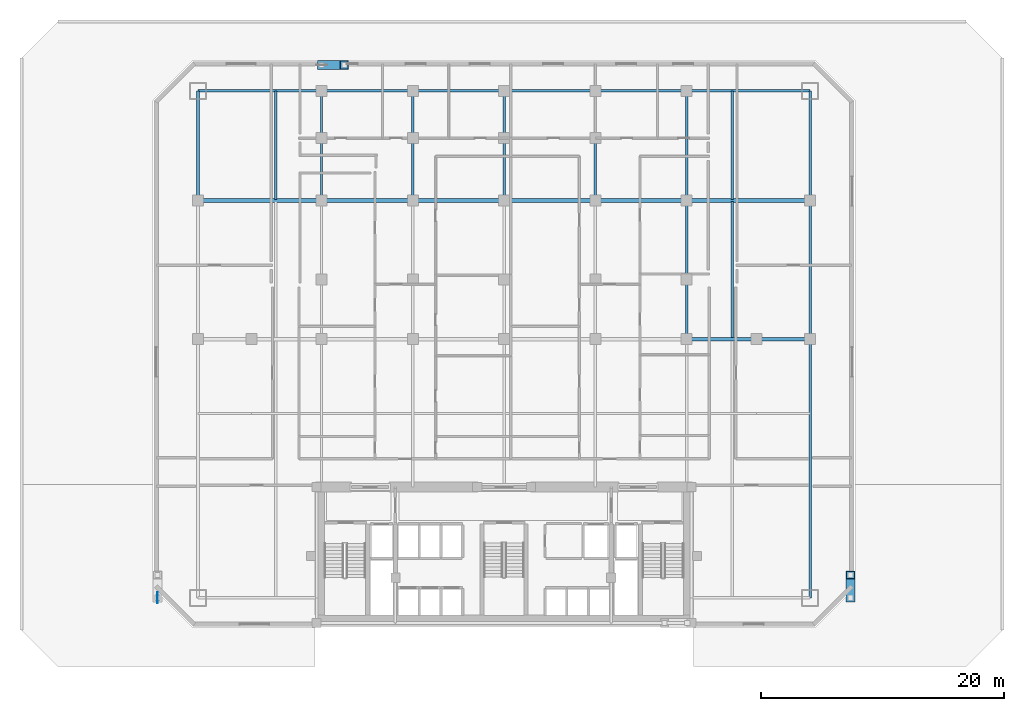
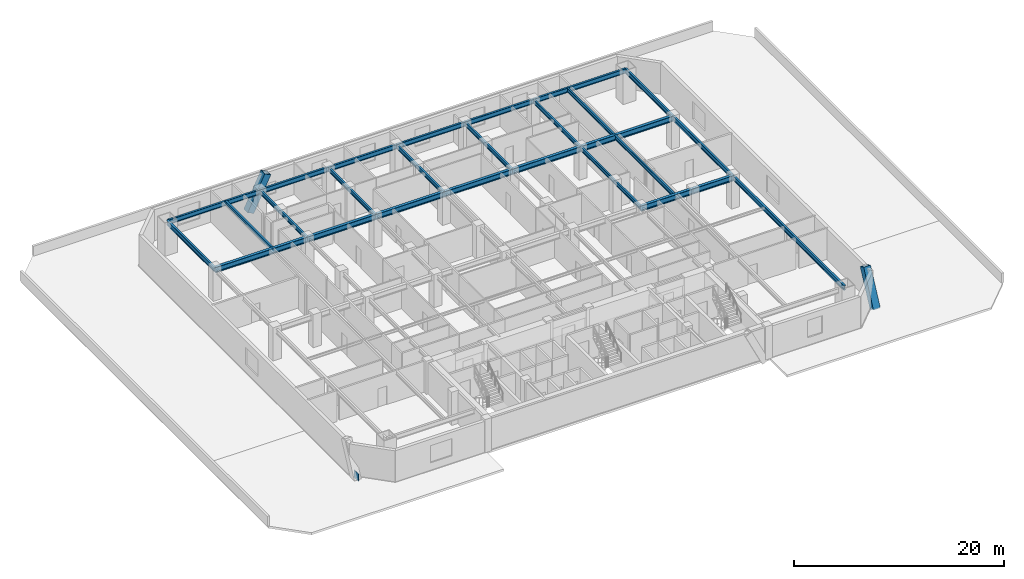
# One storey, part 2 of 11: 27 beams, 2 members, 1 plate.
"""IFC4 building model written with IfcOpenShell, lengths in metres."""

from ifc_helpers import new_model, si_unit, direction, frame, origin, origin_2d, place, context, subcontext, project, spatial, rectangle, hollow_rectangle, i_section, extrude, material, layer, layer_set, material_profile, profile_set, type_object, element, save


model = new_model("IFC4")

# Units and contexts
model_context = context("Model", 3, precision=1e-05, world=origin(), true_north=direction((0.0, 1.0)))
body_context = subcontext(model_context, "Body", "Model", "MODEL_VIEW")
ifc_project = project(units=[si_unit("LENGTHUNIT", "METRE"), si_unit("AREAUNIT", "SQUARE_METRE"), si_unit("VOLUMEUNIT", "CUBIC_METRE"), si_unit("PLANEANGLEUNIT", "RADIAN"), si_unit("MASSUNIT", "GRAM", prefix="KILO")], contexts=[model_context])

# Site, building, storey
site_placement = place(None, origin())
site = spatial("IfcSite", under=ifc_project, at=site_placement, CompositionType="ELEMENT")
building_placement = place(site_placement, origin())
building = spatial("IfcBuilding", under=site, at=building_placement, Name="Ventersveld Concourse Tower", CompositionType="ELEMENT")
storey_placement = place(building_placement, frame((0.0, 0.0, 29.800048828125)))
storey = spatial("IfcBuildingStorey", under=building, at=storey_placement, Name="L06", CompositionType="ELEMENT", Elevation=29.800048828125)

# Beams
ifc_material_1 = material(Name="Structural steel S355J2", Category="steel")
ifc_material_profile_1 = material_profile(ifc_material_1, i_section(OverallWidth=0.19140625, OverallDepth=0.4599609375, WebThickness=0.010009765625, FlangeThickness=0.01611328125, FilletRadius=0.01025390625, at=origin_2d()), Name="UB 457x191x82")
ifc_profile_set_1 = profile_set([ifc_material_profile_1], Name="Structural steel S355J2")
beam_type_1 = type_object("IfcBeamType", Name="BM-UB457H", PredefinedType="BEAM", material=ifc_profile_set_1)
beam_1_placement = place(storey_placement, frame((10.0, 35.094970703125, 3.369873046875), z_axis=(0.0, 1.0, 0.0), x_axis=(-1.0, 0.0, 0.0)))
element("IfcBeam", 1, at=beam_1_placement, inside=storey, type_object=beam_type_1, Name="L06 N-S Composite Floor Beam North X=10.00", PredefinedType="BEAM", context=body_context, shape_type="SweptSolid", body=[
    extrude(i_section(OverallWidth=0.19140625, OverallDepth=0.4599609375, WebThickness=0.010009765625, FlangeThickness=0.01611328125, FilletRadius=0.01025390625, at=origin_2d()), origin(), (0.0, 0.0, 1.0), 8.905029296875),
])
for number, where, z_axis, x_axis, name in (
    (2, (13.75, 35.0, 3.369873046875), (0.0, 1.0, 0.0), (-1.0, 0.0, 0.0), "L06 N-S Composite Floor Beam North X=13.75"),
    (3, (21.25, 35.0, 3.369873046875), (0.0, 1.0, 0.0), (-1.0, 0.0, 0.0), "L06 N-S Composite Floor Beam North X=21.25"),
    (4, (28.75, 35.0, 3.369873046875), (0.0, 1.0, 0.0), (-1.0, 0.0, 0.0), "L06 N-S Composite Floor Beam North X=28.75"),
    (5, (36.25, 35.0, 3.369873046875), (0.0, 1.0, 0.0), (-1.0, 0.0, 0.0), "L06 N-S Composite Floor Beam North X=36.25"),
):
    element("IfcBeam", number, at=place(storey_placement, frame(where, z_axis=z_axis, x_axis=x_axis)), inside=storey, type_object=beam_type_1, Name=name, PredefinedType="BEAM", context=body_context, shape_type="SweptSolid", body=[
        extrude(i_section(OverallWidth=0.19140625, OverallDepth=0.4599609375, WebThickness=0.010009765625, FlangeThickness=0.01611328125, FilletRadius=0.01025390625, at=origin_2d()), origin(), (0.0, 0.0, 1.0), 9.0),
    ])
beam_2_placement = place(storey_placement, frame((43.75, 23.60009765625, 3.369873046875), z_axis=(0.0, 1.0, 0.0), x_axis=(-1.0, 0.0, 0.0)))
element("IfcBeam", 6, at=beam_2_placement, inside=storey, type_object=beam_type_1, Name="L06 N-S Composite Floor Beam Mid X=43.75", PredefinedType="BEAM", context=body_context, shape_type="SweptSolid", body=[
    extrude(i_section(OverallWidth=0.19140625, OverallDepth=0.4599609375, WebThickness=0.010009765625, FlangeThickness=0.01611328125, FilletRadius=0.01025390625, at=origin_2d()), origin(), (0.0, 0.0, 1.0), 11.39990234375),
])
beam_3_placement = place(storey_placement, frame((43.75, 35.0, 3.369873046875), z_axis=(0.0, 1.0, 0.0), x_axis=(-1.0, 0.0, 0.0)))
element("IfcBeam", 7, at=beam_3_placement, inside=storey, type_object=beam_type_1, Name="L06 N-S Composite Floor Beam North X=43.75", PredefinedType="BEAM", context=body_context, shape_type="SweptSolid", body=[
    extrude(i_section(OverallWidth=0.19140625, OverallDepth=0.4599609375, WebThickness=0.010009765625, FlangeThickness=0.01611328125, FilletRadius=0.01025390625, at=origin_2d()), origin(), (0.0, 0.0, 1.0), 9.0),
])
beam_4_placement = place(storey_placement, frame((47.5, 23.695068359375, 3.369873046875), z_axis=(0.0, 1.0, 0.0), x_axis=(-1.0, 0.0, 0.0)))
element("IfcBeam", 8, at=beam_4_placement, inside=storey, type_object=beam_type_1, Name="L06 N-S Composite Floor Beam Mid X=47.50", PredefinedType="BEAM", context=body_context, shape_type="SweptSolid", body=[
    extrude(i_section(OverallWidth=0.19140625, OverallDepth=0.4599609375, WebThickness=0.010009765625, FlangeThickness=0.01611328125, FilletRadius=0.01025390625, at=origin_2d()), origin(), (0.0, 0.0, 1.0), 11.2099609375),
])
beam_5_placement = place(storey_placement, frame((47.5, 35.094970703125, 3.369873046875), z_axis=(0.0, 1.0, 0.0), x_axis=(-1.0, 0.0, 0.0)))
element("IfcBeam", 9, at=beam_5_placement, inside=storey, type_object=beam_type_1, Name="L06 N-S Composite Floor Beam North X=47.50", PredefinedType="BEAM", context=body_context, shape_type="SweptSolid", body=[
    extrude(i_section(OverallWidth=0.19140625, OverallDepth=0.4599609375, WebThickness=0.010009765625, FlangeThickness=0.01611328125, FilletRadius=0.01025390625, at=origin_2d()), origin(), (0.0, 0.0, 1.0), 8.905029296875),
])
ifc_material_profile_2 = material_profile(ifc_material_1, i_section(OverallWidth=0.311279296875, OverallDepth=0.6357421875, WebThickness=0.018310546875, FlangeThickness=0.031494140625, FilletRadius=0.0166015625, at=origin_2d()), Name="UB 610x305x238")
ifc_profile_set_2 = profile_set([ifc_material_profile_2], Name="Structural steel S355J2")
beam_type_2 = type_object("IfcBeamType", Name="GRD-UB610H", PredefinedType="USERDEFINED", material=ifc_profile_set_2)
beam_6_placement = place(storey_placement, frame((43.75, 23.60009765625, 3.281982421875), z_axis=(1.0, 0.0, 0.0), x_axis=(0.0, 1.0, 0.0)))
element("IfcBeam", 10, at=beam_6_placement, inside=storey, type_object=beam_type_2, Name="L06 Primary E-W Grid Girder Y=23.60 #7", ObjectType="GIRDER", PredefinedType="USERDEFINED", context=body_context, shape_type="SweptSolid", body=[
    extrude(i_section(OverallWidth=0.311279296875, OverallDepth=0.6357421875, WebThickness=0.018310546875, FlangeThickness=0.031494140625, FilletRadius=0.0166015625, at=origin_2d()), origin(), (0.0, 0.0, 1.0), 5.75),
])
beam_7_placement = place(storey_placement, frame((49.5, 23.60009765625, 3.281982421875), z_axis=(1.0, 0.0, 0.0), x_axis=(0.0, 1.0, 0.0)))
element("IfcBeam", 11, at=beam_7_placement, inside=storey, type_object=beam_type_2, Name="L06 Primary E-W Grid Girder Y=23.60 #8", ObjectType="GIRDER", PredefinedType="USERDEFINED", context=body_context, shape_type="SweptSolid", body=[
    extrude(i_section(OverallWidth=0.311279296875, OverallDepth=0.6357421875, WebThickness=0.018310546875, FlangeThickness=0.031494140625, FilletRadius=0.0166015625, at=origin_2d()), origin(), (0.0, 0.0, 1.0), 4.39990234375),
])
beam_8_placement = place(storey_placement, frame((3.60009765625, 35.0, 3.281982421875), z_axis=(1.0, 0.0, 0.0), x_axis=(0.0, 1.0, 0.0)))
element("IfcBeam", 12, at=beam_8_placement, inside=storey, type_object=beam_type_2, Name="L06 E-W Grid Girder Y=35.00 #1", ObjectType="GIRDER", PredefinedType="USERDEFINED", context=body_context, shape_type="SweptSolid", body=[
    extrude(i_section(OverallWidth=0.311279296875, OverallDepth=0.6357421875, WebThickness=0.018310546875, FlangeThickness=0.031494140625, FilletRadius=0.0166015625, at=origin_2d()), origin(), (0.0, 0.0, 1.0), 10.14990234375),
])
for number, where, z_axis, x_axis, name in (
    (13, (13.75, 35.0, 3.281982421875), (1.0, 0.0, 0.0), (0.0, 1.0, 0.0), "L06 E-W Grid Girder Y=35.00 #2"),
    (14, (21.25, 35.0, 3.281982421875), (1.0, 0.0, 0.0), (0.0, 1.0, 0.0), "L06 E-W Grid Girder Y=35.00 #3"),
    (15, (28.75, 35.0, 3.281982421875), (1.0, 0.0, 0.0), (0.0, 1.0, 0.0), "L06 E-W Grid Girder Y=35.00 #4"),
    (16, (36.25, 35.0, 3.281982421875), (1.0, 0.0, 0.0), (0.0, 1.0, 0.0), "L06 E-W Grid Girder Y=35.00 #5"),
):
    element("IfcBeam", number, at=place(storey_placement, frame(where, z_axis=z_axis, x_axis=x_axis)), inside=storey, type_object=beam_type_2, Name=name, ObjectType="GIRDER", PredefinedType="USERDEFINED", context=body_context, shape_type="SweptSolid", body=[
        extrude(i_section(OverallWidth=0.311279296875, OverallDepth=0.6357421875, WebThickness=0.018310546875, FlangeThickness=0.031494140625, FilletRadius=0.0166015625, at=origin_2d()), origin(), (0.0, 0.0, 1.0), 7.5),
    ])
beam_9_placement = place(storey_placement, frame((43.75, 35.0, 3.281982421875), z_axis=(1.0, 0.0, 0.0), x_axis=(0.0, 1.0, 0.0)))
element("IfcBeam", 17, at=beam_9_placement, inside=storey, type_object=beam_type_2, Name="L06 E-W Grid Girder Y=35.00 #6", ObjectType="GIRDER", PredefinedType="USERDEFINED", context=body_context, shape_type="SweptSolid", body=[
    extrude(i_section(OverallWidth=0.311279296875, OverallDepth=0.6357421875, WebThickness=0.018310546875, FlangeThickness=0.031494140625, FilletRadius=0.0166015625, at=origin_2d()), origin(), (0.0, 0.0, 1.0), 10.14990234375),
])

# Members
ifc_material_2 = material(Name="Structural steel S355ML", Category="steel")
ifc_material_profile_3 = material_profile(ifc_material_2, hollow_rectangle(XDim=0.75, YDim=0.75, WallThickness=0.044921875, at=origin_2d()), Name="BOX 750x750x45")
ifc_profile_set_3 = profile_set([ifc_material_profile_3], Name="Structural steel S355ML")
member_type = type_object("IfcMemberType", Name="MB-750x750", PredefinedType="BRACE", material=ifc_profile_set_3)
for number, where, z_axis, x_axis, name in (
    (18, (13.75, 46.1201171875, -0.25), (0.437861906815, 0.0, 0.899042240699), (0.0, 1.0, 0.0), "L06 Exterior Mega-Brace N (Module M01)"),
    (19, (57.219970703125, 2.35009765625, -0.25), (0.0, 0.437861906815, 0.899042240699), (-1.0, 0.0, 0.0), "L06 Exterior Mega-Brace E (Module M01)"),
):
    element("IfcMember", number, at=place(storey_placement, frame(where, z_axis=z_axis, x_axis=x_axis)), inside=storey, type_object=member_type, Name=name, PredefinedType="BRACE", context=body_context, shape_type="SweptSolid", body=[
        extrude(hollow_rectangle(XDim=0.75, YDim=0.75, WallThickness=0.044921875, at=origin_2d()), origin(), (0.0, 0.0, 1.0), 4.2822265625),
    ])

# Beams
ifc_material_profile_4 = material_profile(ifc_material_1, i_section(OverallWidth=0.2119140625, OverallDepth=0.54443359375, WebThickness=0.0126953125, FlangeThickness=0.021240234375, FilletRadius=0.0126953125, at=origin_2d()), Name="UB 533x210x122")
ifc_profile_set_4 = profile_set([ifc_material_profile_4], Name="Structural steel S355J2")
beam_type_3 = type_object("IfcBeamType", Name="SPD-UB533", PredefinedType="SPANDREL", material=ifc_profile_set_4)
beam_10_placement = place(storey_placement, frame((3.60009765625, 35.0, 3.32763671875), z_axis=(0.0, 1.0, 0.0), x_axis=(-1.0, 0.0, 0.0)))
element("IfcBeam", 20, at=beam_10_placement, inside=storey, type_object=beam_type_3, Name="L06 West Spandrel Beam N", PredefinedType="SPANDREL", context=body_context, shape_type="SweptSolid", body=[
    extrude(i_section(OverallWidth=0.2119140625, OverallDepth=0.54443359375, WebThickness=0.0126953125, FlangeThickness=0.021240234375, FilletRadius=0.0126953125, at=origin_2d()), origin(), (0.0, 0.0, 1.0), 9.0),
])
beam_11_placement = place(storey_placement, frame((53.89990234375, 2.35009765625, 3.32763671875), z_axis=(0.0, 1.0, 0.0), x_axis=(-1.0, 0.0, 0.0)))
element("IfcBeam", 21, at=beam_11_placement, inside=storey, type_object=beam_type_3, Name="L06 East Spandrel Beam S", PredefinedType="SPANDREL", context=body_context, shape_type="SweptSolid", body=[
    extrude(i_section(OverallWidth=0.2119140625, OverallDepth=0.54443359375, WebThickness=0.0126953125, FlangeThickness=0.021240234375, FilletRadius=0.0126953125, at=origin_2d()), origin(), (0.0, 0.0, 1.0), 21.25),
])
beam_12_placement = place(storey_placement, frame((53.89990234375, 23.60009765625, 3.32763671875), z_axis=(0.0, 1.0, 0.0), x_axis=(-1.0, 0.0, 0.0)))
element("IfcBeam", 22, at=beam_12_placement, inside=storey, type_object=beam_type_3, Name="L06 East Spandrel Beam M", PredefinedType="SPANDREL", context=body_context, shape_type="SweptSolid", body=[
    extrude(i_section(OverallWidth=0.2119140625, OverallDepth=0.54443359375, WebThickness=0.0126953125, FlangeThickness=0.021240234375, FilletRadius=0.0126953125, at=origin_2d()), origin(), (0.0, 0.0, 1.0), 11.39990234375),
])
beam_13_placement = place(storey_placement, frame((53.89990234375, 35.0, 3.32763671875), z_axis=(0.0, 1.0, 0.0), x_axis=(-1.0, 0.0, 0.0)))
element("IfcBeam", 23, at=beam_13_placement, inside=storey, type_object=beam_type_3, Name="L06 East Spandrel Beam N", PredefinedType="SPANDREL", context=body_context, shape_type="SweptSolid", body=[
    extrude(i_section(OverallWidth=0.2119140625, OverallDepth=0.54443359375, WebThickness=0.0126953125, FlangeThickness=0.021240234375, FilletRadius=0.0126953125, at=origin_2d()), origin(), (0.0, 0.0, 1.0), 9.0),
])
beam_14_placement = place(storey_placement, frame((3.60009765625, 44.0, 3.32763671875), z_axis=(1.0, 0.0, 0.0), x_axis=(0.0, 1.0, 0.0)))
element("IfcBeam", 24, at=beam_14_placement, inside=storey, type_object=beam_type_3, Name="L06 North Spandrel Girder Y=44.00 #1", PredefinedType="SPANDREL", context=body_context, shape_type="SweptSolid", body=[
    extrude(i_section(OverallWidth=0.2119140625, OverallDepth=0.54443359375, WebThickness=0.0126953125, FlangeThickness=0.021240234375, FilletRadius=0.0126953125, at=origin_2d()), origin(), (0.0, 0.0, 1.0), 10.14990234375),
])
for number, where, z_axis, x_axis, name in (
    (25, (13.75, 44.0, 3.32763671875), (1.0, 0.0, 0.0), (0.0, 1.0, 0.0), "L06 North Spandrel Girder Y=44.00 #2"),
    (26, (21.25, 44.0, 3.32763671875), (1.0, 0.0, 0.0), (0.0, 1.0, 0.0), "L06 North Spandrel Girder Y=44.00 #3"),
    (27, (28.75, 44.0, 3.32763671875), (1.0, 0.0, 0.0), (0.0, 1.0, 0.0), "L06 North Spandrel Girder Y=44.00 #4"),
    (28, (36.25, 44.0, 3.32763671875), (1.0, 0.0, 0.0), (0.0, 1.0, 0.0), "L06 North Spandrel Girder Y=44.00 #5"),
):
    element("IfcBeam", number, at=place(storey_placement, frame(where, z_axis=z_axis, x_axis=x_axis)), inside=storey, type_object=beam_type_3, Name=name, PredefinedType="SPANDREL", context=body_context, shape_type="SweptSolid", body=[
        extrude(i_section(OverallWidth=0.2119140625, OverallDepth=0.54443359375, WebThickness=0.0126953125, FlangeThickness=0.021240234375, FilletRadius=0.0126953125, at=origin_2d()), origin(), (0.0, 0.0, 1.0), 7.5),
    ])
beam_15_placement = place(storey_placement, frame((43.75, 44.0, 3.32763671875), z_axis=(1.0, 0.0, 0.0), x_axis=(0.0, 1.0, 0.0)))
element("IfcBeam", 29, at=beam_15_placement, inside=storey, type_object=beam_type_3, Name="L06 North Spandrel Girder Y=44.00 #6", PredefinedType="SPANDREL", context=body_context, shape_type="SweptSolid", body=[
    extrude(i_section(OverallWidth=0.2119140625, OverallDepth=0.54443359375, WebThickness=0.0126953125, FlangeThickness=0.021240234375, FilletRadius=0.0126953125, at=origin_2d()), origin(), (0.0, 0.0, 1.0), 10.14990234375),
])

# Plate
ifc_layer = layer(ifc_material_1, 0.030029296875)
ifc_layer_set = layer_set([ifc_layer], Name="Structural steel S355J2")
plate_type = type_object("IfcPlateType", Name="PL-CAP-30", PredefinedType="USERDEFINED", material=ifc_layer_set)
plate_placement = place(storey_placement, frame((0.280029296875, 2.35009765625, -0.10009765625), z_axis=(0.0, 0.0, 1.0), x_axis=(0.0, 1.0, 0.0)))
element("IfcPlate", 30, at=plate_placement, inside=storey, type_object=plate_type, Name="L06 Mega-Brace Gusset Node Plate M01-W", ObjectType="GUSSET_PLATE", PredefinedType="USERDEFINED", context=body_context, shape_type="SweptSolid", body=[
    extrude(rectangle(XDim=0.89990234375, YDim=0.030029296875, at=origin_2d()), origin(), (0.0, 0.0, 1.0), 0.89990234375),
])

save(model, "model.ifc")
